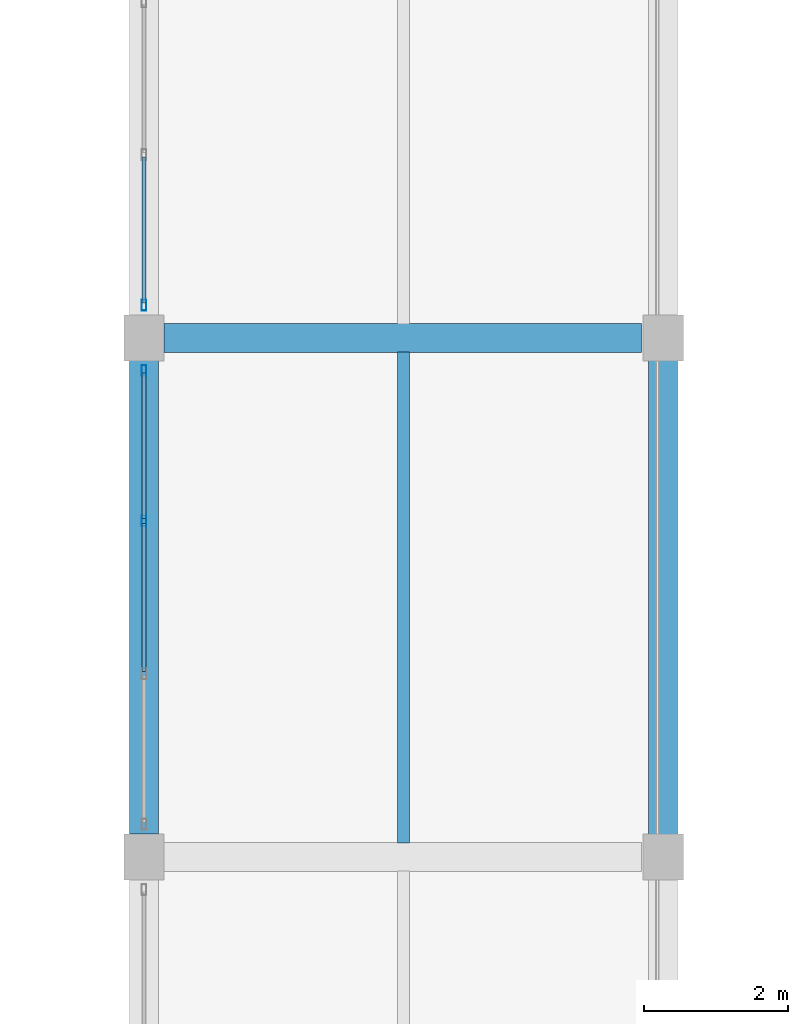
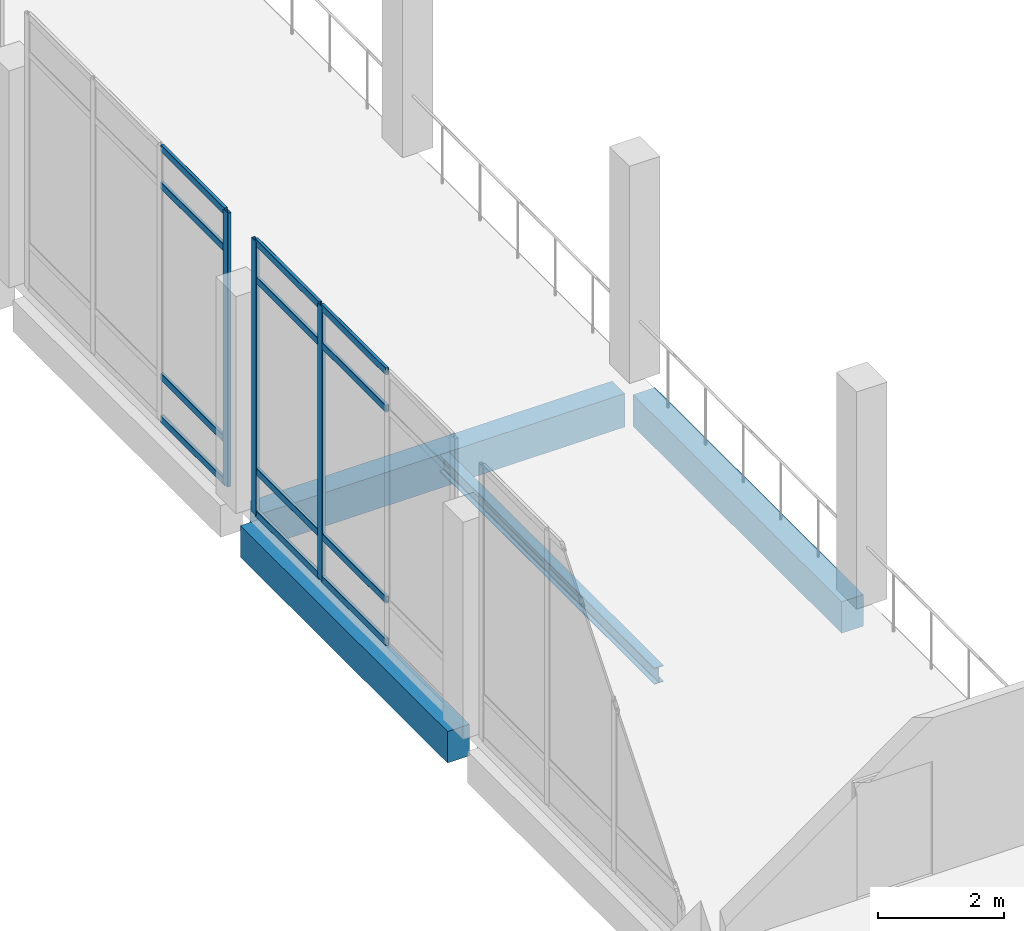
# One storey, part 92 of 158: 15 members, 4 beams, 2 elements without a shape of their own.
"""IFC4 building model written with IfcOpenShell, lengths in metres."""

from ifc_helpers import new_model, si_unit, direction, frame, origin, origin_2d, place, context, subcontext, project, spatial, rectangle, hollow_rectangle, i_section, extrude, material, material_profile, profile_set, type_object, element, aggregate, save


model = new_model("IFC4")

# Units and contexts
model_context = context("Model", 3, precision=1e-05, world=origin(), true_north=direction((0.0, 1.0)))
body_context = subcontext(model_context, "Body", "Model", "MODEL_VIEW")
ifc_project = project(units=[si_unit("LENGTHUNIT", "METRE"), si_unit("AREAUNIT", "SQUARE_METRE"), si_unit("VOLUMEUNIT", "CUBIC_METRE"), si_unit("PLANEANGLEUNIT", "RADIAN"), si_unit("MASSUNIT", "GRAM", prefix="KILO")], contexts=[model_context])

# Site, building, storey
site_placement = place(None, origin())
site = spatial("IfcSite", under=ifc_project, at=site_placement, CompositionType="ELEMENT")
building_placement = place(site_placement, origin())
building = spatial("IfcBuilding", under=site, at=building_placement, Name="Lusvemor Sports Hall", CompositionType="ELEMENT")
storey_placement = place(building_placement, frame((0.0, 0.0, 10.800048828125)))
storey = spatial("IfcBuildingStorey", under=building, at=storey_placement, Name="L02", CompositionType="ELEMENT", Elevation=10.800048828125)

# Beam
ifc_material_1 = material(Name="Concrete C40/50", Category="concrete")
ifc_material_profile_1 = material_profile(ifc_material_1, rectangle(XDim=0.39990234375, YDim=0.64990234375, at=origin_2d()), Name="RC400x650")
ifc_profile_set_1 = profile_set([ifc_material_profile_1], Name="Concrete C40/50")
beam_type_1 = type_object("IfcBeamType", Name="BEAM_RC_650", PredefinedType="BEAM", material=ifc_profile_set_1)
beam_1_placement = place(storey_placement, frame((133.47607421875, 61.199951171875, -0.5849609375), z_axis=(1.0, 0.0, 0.0), x_axis=(0.0, 1.0, 0.0)))
element("IfcBeam", 1, at=beam_1_placement, inside=storey, type_object=beam_type_1, Name="Beam L02 H:15-16", PredefinedType="BEAM", context=body_context, shape_type="SweptSolid", body=[
    extrude(rectangle(XDim=0.39990234375, YDim=0.64990234375, at=origin_2d()), origin(), (0.0, 0.0, 1.0), 6.6279296875),
])

# Curtain wall, members
ifc_material_2 = material(Name="Thermally broken bronze-anodized aluminium", Category="aluminium")
curtain_wall_type = type_object("IfcCurtainWallType", Name="CW_CLIMB_D", PredefinedType="NOTDEFINED", material=ifc_material_2)
curtain_wall_1_placement = place(storey_placement, origin())
curtain_wall_1 = element("IfcCurtainWall", 2, at=curtain_wall_1_placement, inside=storey, type_object=curtain_wall_type, Name="Curtain Wall CW-V3W-L02-1", PredefinedType="NOTDEFINED")
ifc_material_3 = material(Name="Thermally broken bronze-anodized aluminium", Category="aluminium")
ifc_material_profile_2 = material_profile(ifc_material_3, hollow_rectangle(XDim=0.06494140625, YDim=0.14990234375, WallThickness=0.00390625, InnerFilletRadius=0.00390625, OuterFilletRadius=0.008056640625, at=origin_2d()), Name="CWMUL150x65x4")
ifc_profile_set_2 = profile_set([ifc_material_profile_2], Name="Thermally broken bronze-anodized aluminium")
member_type_1 = type_object("IfcMemberType", Name="CW_MUL_B", PredefinedType="MULLION", material=ifc_profile_set_2)
member_1_placement = place(storey_placement, frame((133.199951171875, 58.659912109375, 0.0), z_axis=(0.0, 0.0, 1.0), x_axis=(-1.0, 0.0, 0.0)))
member_1 = element("IfcMember", 3, at=member_1_placement, type_object=member_type_1, Name="CW04 mullion 3", PredefinedType="MULLION", context=body_context, shape_type="SweptSolid", body=[
    extrude(hollow_rectangle(XDim=0.06494140625, YDim=0.14990234375, WallThickness=0.00390625, InnerFilletRadius=0.00390625, OuterFilletRadius=0.008056640625, at=origin_2d()), origin(), (0.0, 0.0, 1.0), 5.300048828125),
])
member_2_placement = place(storey_placement, frame((133.199951171875, 60.74755859375, 0.0), z_axis=(0.0, 0.0, 1.0), x_axis=(-1.0, 0.0, 0.0)))
member_2 = element("IfcMember", 4, at=member_2_placement, type_object=member_type_1, Name="CW04 mullion 4", PredefinedType="MULLION", context=body_context, shape_type="SweptSolid", body=[
    extrude(hollow_rectangle(XDim=0.06494140625, YDim=0.14990234375, WallThickness=0.00390625, InnerFilletRadius=0.00390625, OuterFilletRadius=0.008056640625, at=origin_2d()), origin(), (0.0, 0.0, 1.0), 5.300048828125),
])

# Curtain wall, member
curtain_wall_2_placement = place(storey_placement, origin())
curtain_wall_2 = element("IfcCurtainWall", 5, at=curtain_wall_2_placement, inside=storey, type_object=curtain_wall_type, Name="Curtain Wall CW-V3W-L02-2", PredefinedType="NOTDEFINED")
member_3_placement = place(storey_placement, frame((133.199951171875, 61.652587890625, 0.0), z_axis=(0.0, 0.0, 1.0), x_axis=(-1.0, 0.0, 0.0)))
member_3 = element("IfcMember", 6, at=member_3_placement, type_object=member_type_1, Name="CW04 mullion 1", PredefinedType="MULLION", context=body_context, shape_type="SweptSolid", body=[
    extrude(hollow_rectangle(XDim=0.06494140625, YDim=0.14990234375, WallThickness=0.00390625, InnerFilletRadius=0.00390625, OuterFilletRadius=0.008056640625, at=origin_2d()), origin(), (0.0, 0.0, 1.0), 5.300048828125),
])

# Member
ifc_material_4 = material(Name="Thermally broken bronze-anodized aluminium", Category="aluminium")
ifc_material_profile_3 = material_profile(ifc_material_4, hollow_rectangle(XDim=0.06005859375, YDim=0.135009765625, WallThickness=0.00390625, InnerFilletRadius=0.00390625, OuterFilletRadius=0.008056640625, at=origin_2d()), Name="CWTRN135x60x4")
ifc_profile_set_3 = profile_set([ifc_material_profile_3], Name="Thermally broken bronze-anodized aluminium")
member_type_2 = type_object("IfcMemberType", Name="CW_TRN_B", PredefinedType="USERDEFINED", material=ifc_profile_set_3)
member_4_placement = place(storey_placement, frame((133.199951171875, 56.572509765625, 0.030029296875), z_axis=(0.0, 1.0, 0.0), x_axis=(-1.0, 0.0, 0.0)))
member_4 = element("IfcMember", 7, at=member_4_placement, type_object=member_type_2, Name="CW04 transom 2.1", ObjectType="TRANSOM", PredefinedType="USERDEFINED", context=body_context, shape_type="SweptSolid", body=[
    extrude(hollow_rectangle(XDim=0.06005859375, YDim=0.135009765625, WallThickness=0.00390625, InnerFilletRadius=0.00390625, OuterFilletRadius=0.008056640625, at=origin_2d()), origin(), (0.0, 0.0, 1.0), 2.054931640625),
])

member_5_placement = place(storey_placement, frame((133.199951171875, 56.572509765625, 0.849853515625), z_axis=(0.0, 1.0, 0.0), x_axis=(-1.0, 0.0, 0.0)))
member_5 = element("IfcMember", 8, at=member_5_placement, type_object=member_type_2, Name="CW04 transom 2.2", ObjectType="TRANSOM", PredefinedType="USERDEFINED", context=body_context, shape_type="SweptSolid", body=[
    extrude(hollow_rectangle(XDim=0.06005859375, YDim=0.135009765625, WallThickness=0.00390625, InnerFilletRadius=0.00390625, OuterFilletRadius=0.008056640625, at=origin_2d()), origin(), (0.0, 0.0, 1.0), 2.054931640625),
])

member_6_placement = place(storey_placement, frame((133.199951171875, 56.572509765625, 4.550048828125), z_axis=(0.0, 1.0, 0.0), x_axis=(-1.0, 0.0, 0.0)))
member_6 = element("IfcMember", 9, at=member_6_placement, type_object=member_type_2, Name="CW04 transom 2.3", ObjectType="TRANSOM", PredefinedType="USERDEFINED", context=body_context, shape_type="SweptSolid", body=[
    extrude(hollow_rectangle(XDim=0.06005859375, YDim=0.135009765625, WallThickness=0.00390625, InnerFilletRadius=0.00390625, OuterFilletRadius=0.008056640625, at=origin_2d()), origin(), (0.0, 0.0, 1.0), 2.054931640625),
])

member_7_placement = place(storey_placement, frame((133.199951171875, 56.572509765625, 5.27001953125), z_axis=(0.0, 1.0, 0.0), x_axis=(-1.0, 0.0, 0.0)))
member_7 = element("IfcMember", 10, at=member_7_placement, type_object=member_type_2, Name="CW04 transom 2.4", ObjectType="TRANSOM", PredefinedType="USERDEFINED", context=body_context, shape_type="SweptSolid", body=[
    extrude(hollow_rectangle(XDim=0.06005859375, YDim=0.135009765625, WallThickness=0.00390625, InnerFilletRadius=0.00390625, OuterFilletRadius=0.008056640625, at=origin_2d()), origin(), (0.0, 0.0, 1.0), 2.054931640625),
])

member_8_placement = place(storey_placement, frame((133.199951171875, 58.6923828125, 0.030029296875), z_axis=(0.0, 1.0, 0.0), x_axis=(-1.0, 0.0, 0.0)))
member_8 = element("IfcMember", 11, at=member_8_placement, type_object=member_type_2, Name="CW04 transom 3.1", ObjectType="TRANSOM", PredefinedType="USERDEFINED", context=body_context, shape_type="SweptSolid", body=[
    extrude(hollow_rectangle(XDim=0.06005859375, YDim=0.135009765625, WallThickness=0.00390625, InnerFilletRadius=0.00390625, OuterFilletRadius=0.008056640625, at=origin_2d()), origin(), (0.0, 0.0, 1.0), 2.022705078125),
])

member_9_placement = place(storey_placement, frame((133.199951171875, 58.6923828125, 0.849853515625), z_axis=(0.0, 1.0, 0.0), x_axis=(-1.0, 0.0, 0.0)))
member_9 = element("IfcMember", 12, at=member_9_placement, type_object=member_type_2, Name="CW04 transom 3.2", ObjectType="TRANSOM", PredefinedType="USERDEFINED", context=body_context, shape_type="SweptSolid", body=[
    extrude(hollow_rectangle(XDim=0.06005859375, YDim=0.135009765625, WallThickness=0.00390625, InnerFilletRadius=0.00390625, OuterFilletRadius=0.008056640625, at=origin_2d()), origin(), (0.0, 0.0, 1.0), 2.022705078125),
])

member_10_placement = place(storey_placement, frame((133.199951171875, 58.6923828125, 4.550048828125), z_axis=(0.0, 1.0, 0.0), x_axis=(-1.0, 0.0, 0.0)))
member_10 = element("IfcMember", 13, at=member_10_placement, type_object=member_type_2, Name="CW04 transom 3.3", ObjectType="TRANSOM", PredefinedType="USERDEFINED", context=body_context, shape_type="SweptSolid", body=[
    extrude(hollow_rectangle(XDim=0.06005859375, YDim=0.135009765625, WallThickness=0.00390625, InnerFilletRadius=0.00390625, OuterFilletRadius=0.008056640625, at=origin_2d()), origin(), (0.0, 0.0, 1.0), 2.022705078125),
])

member_11_placement = place(storey_placement, frame((133.199951171875, 58.6923828125, 5.27001953125), z_axis=(0.0, 1.0, 0.0), x_axis=(-1.0, 0.0, 0.0)))
member_11 = element("IfcMember", 14, at=member_11_placement, type_object=member_type_2, Name="CW04 transom 3.4", ObjectType="TRANSOM", PredefinedType="USERDEFINED", context=body_context, shape_type="SweptSolid", body=[
    extrude(hollow_rectangle(XDim=0.06005859375, YDim=0.135009765625, WallThickness=0.00390625, InnerFilletRadius=0.00390625, OuterFilletRadius=0.008056640625, at=origin_2d()), origin(), (0.0, 0.0, 1.0), 2.022705078125),
])

aggregate(curtain_wall_1, [member_1, member_2, member_4, member_5, member_6, member_7, member_8, member_9, member_10, member_11])

member_12_placement = place(storey_placement, frame((133.199951171875, 61.68505859375, 0.030029296875), z_axis=(0.0, 1.0, 0.0), x_axis=(-1.0, 0.0, 0.0)))
member_12 = element("IfcMember", 15, at=member_12_placement, type_object=member_type_2, Name="CW04 transom 1.1", ObjectType="TRANSOM", PredefinedType="USERDEFINED", context=body_context, shape_type="SweptSolid", body=[
    extrude(hollow_rectangle(XDim=0.06005859375, YDim=0.135009765625, WallThickness=0.00390625, InnerFilletRadius=0.00390625, OuterFilletRadius=0.008056640625, at=origin_2d()), origin(), (0.0, 0.0, 1.0), 2.0224609375),
])

member_13_placement = place(storey_placement, frame((133.199951171875, 61.68505859375, 0.849853515625), z_axis=(0.0, 1.0, 0.0), x_axis=(-1.0, 0.0, 0.0)))
member_13 = element("IfcMember", 16, at=member_13_placement, type_object=member_type_2, Name="CW04 transom 1.2", ObjectType="TRANSOM", PredefinedType="USERDEFINED", context=body_context, shape_type="SweptSolid", body=[
    extrude(hollow_rectangle(XDim=0.06005859375, YDim=0.135009765625, WallThickness=0.00390625, InnerFilletRadius=0.00390625, OuterFilletRadius=0.008056640625, at=origin_2d()), origin(), (0.0, 0.0, 1.0), 2.0224609375),
])

member_14_placement = place(storey_placement, frame((133.199951171875, 61.68505859375, 4.550048828125), z_axis=(0.0, 1.0, 0.0), x_axis=(-1.0, 0.0, 0.0)))
member_14 = element("IfcMember", 17, at=member_14_placement, type_object=member_type_2, Name="CW04 transom 1.3", ObjectType="TRANSOM", PredefinedType="USERDEFINED", context=body_context, shape_type="SweptSolid", body=[
    extrude(hollow_rectangle(XDim=0.06005859375, YDim=0.135009765625, WallThickness=0.00390625, InnerFilletRadius=0.00390625, OuterFilletRadius=0.008056640625, at=origin_2d()), origin(), (0.0, 0.0, 1.0), 2.0224609375),
])

member_15_placement = place(storey_placement, frame((133.199951171875, 61.68505859375, 5.27001953125), z_axis=(0.0, 1.0, 0.0), x_axis=(-1.0, 0.0, 0.0)))
member_15 = element("IfcMember", 18, at=member_15_placement, type_object=member_type_2, Name="CW04 transom 1.4", ObjectType="TRANSOM", PredefinedType="USERDEFINED", context=body_context, shape_type="SweptSolid", body=[
    extrude(hollow_rectangle(XDim=0.06005859375, YDim=0.135009765625, WallThickness=0.00390625, InnerFilletRadius=0.00390625, OuterFilletRadius=0.008056640625, at=origin_2d()), origin(), (0.0, 0.0, 1.0), 2.0224609375),
])

aggregate(curtain_wall_2, [member_3, member_12, member_13, member_14, member_15])

# Beams
ifc_material_5 = material(Name="Steel S355", Category="steel")
ifc_material_profile_4 = material_profile(ifc_material_5, i_section(OverallWidth=0.1669921875, OverallDepth=0.31689453125, WebThickness=0.007568359375, FlangeThickness=0.01318359375, FilletRadius=0.014892578125, at=origin_2d()), Name="W310x52.0")
ifc_profile_set_4 = profile_set([ifc_material_profile_4], Name="Steel S355")
beam_type_2 = type_object("IfcBeamType", Name="JOIST_ST_310M", PredefinedType="JOIST", material=ifc_profile_set_4)
beam_2_placement = place(storey_placement, frame((136.800048828125, 54.196044921875, -0.422607421875), z_axis=(0.0, 1.0, 0.0), x_axis=(-1.0, 0.0, 0.0)))
element("IfcBeam", 19, at=beam_2_placement, inside=storey, type_object=beam_type_2, Name="Secondary Joist L02 15-16/G-H #1", PredefinedType="JOIST", context=body_context, shape_type="SweptSolid", body=[
    extrude(i_section(OverallWidth=0.1669921875, OverallDepth=0.31689453125, WebThickness=0.007568359375, FlangeThickness=0.01318359375, FilletRadius=0.014892578125, at=origin_2d()), origin(), (0.0, 0.0, 1.0), 6.807861328125),
])
ifc_material_6 = material(Name="Concrete C40/50", Category="concrete")
ifc_material_profile_5 = material_profile(ifc_material_6, rectangle(XDim=0.39990234375, YDim=0.610107421875, at=origin_2d()), Name="RC400x610")
ifc_profile_set_5 = profile_set([ifc_material_profile_5], Name="Concrete C40/50")
beam_type_3 = type_object("IfcBeamType", Name="SPAND_EXT_650", PredefinedType="SPANDREL", material=ifc_profile_set_5)
beam_3_placement = place(storey_placement, frame((133.199951171875, 54.31591796875, -0.56494140625), z_axis=(0.0, 1.0, 0.0), x_axis=(-1.0, 0.0, 0.0)))
element("IfcBeam", 20, at=beam_3_placement, inside=storey, type_object=beam_type_3, Name="Beam L02 15:G-H", PredefinedType="SPANDREL", context=body_context, shape_type="SweptSolid", body=[
    extrude(rectangle(XDim=0.39990234375, YDim=0.610107421875, at=origin_2d()), origin(), (0.0, 0.0, 1.0), 6.568115234375),
])
beam_4_placement = place(storey_placement, frame((140.39990234375, 54.2958984375, -0.56494140625), z_axis=(0.0, 1.0, 0.0), x_axis=(-1.0, 0.0, 0.0)))
element("IfcBeam", 21, at=beam_4_placement, inside=storey, type_object=beam_type_3, Name="Beam L02 16:G-H", PredefinedType="SPANDREL", context=body_context, shape_type="SweptSolid", body=[
    extrude(rectangle(XDim=0.39990234375, YDim=0.610107421875, at=origin_2d()), origin(), (0.0, 0.0, 1.0), 6.608154296875),
])

save(model, "model.ifc")
